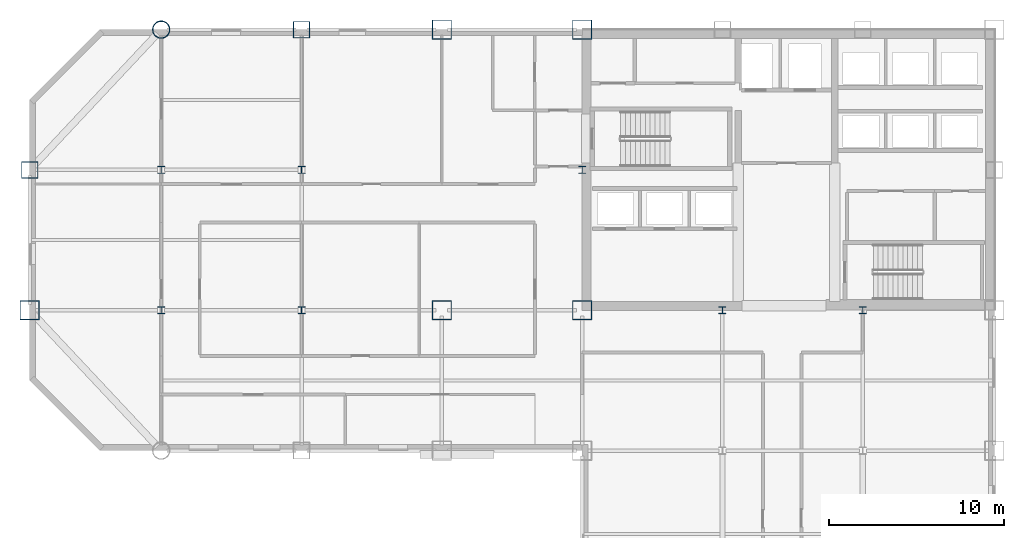
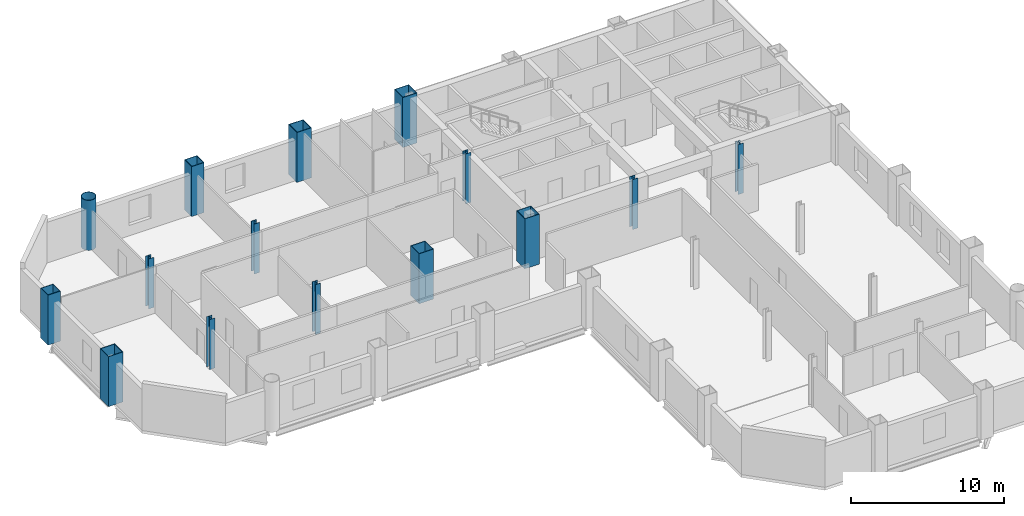
# One storey, part 3 of 10: 15 columns.
"""IFC4 building model written with IfcOpenShell, lengths in metres."""

from ifc_helpers import new_model, si_unit, direction, frame, origin, origin_2d, place, context, subcontext, project, spatial, hollow_rectangle, hollow_circle, i_section, extrude, material, material_profile, profile_set, type_object, element, save


model = new_model("IFC4")

# Units and contexts
model_context = context("Model", 3, precision=1e-05, world=origin(), true_north=direction((0.0, 1.0)))
body_context = subcontext(model_context, "Body", "Model", "MODEL_VIEW")
ifc_project = project(units=[si_unit("LENGTHUNIT", "METRE"), si_unit("AREAUNIT", "SQUARE_METRE"), si_unit("VOLUMEUNIT", "CUBIC_METRE"), si_unit("PLANEANGLEUNIT", "RADIAN"), si_unit("MASSUNIT", "GRAM", prefix="KILO")], contexts=[model_context])

# Site, building, storey
site_placement = place(None, origin())
site = spatial("IfcSite", under=ifc_project, at=site_placement, CompositionType="ELEMENT")
building_placement = place(site_placement, origin())
building = spatial("IfcBuilding", under=site, at=building_placement, Name="Qianrong Seaharbour Tower", CompositionType="ELEMENT")
storey_placement = place(building_placement, frame((0.0, 0.0, 131.0)))
storey = spatial("IfcBuildingStorey", under=building, at=storey_placement, Name="L31", CompositionType="ELEMENT", Elevation=131.0)

# Columns
ifc_material = material(Name="Structural steel SN490B", Category="steel")
ifc_material_profile_1 = material_profile(ifc_material, hollow_rectangle(XDim=1.10009765625, YDim=1.10009765625, WallThickness=0.0400390625, at=origin_2d()), Name="BOX1100x1100x40")
ifc_profile_set_1 = profile_set([ifc_material_profile_1], Name="Structural steel SN490B")
column_type_1 = type_object("IfcColumnType", Name="COL-CFT-1100", PredefinedType="COLUMN", material=ifc_profile_set_1)
for number, where, z_axis, x_axis, name in (
    (1, (9.0, 36.0, 0.0), (0.0, 0.0, 1.0), (1.0, 0.0, 0.0), "L31 Column MC-3 at G2/GF"),
    (2, (32.5, 36.0, 0.0), (0.0, 0.0, 1.0), (1.0, 0.0, 0.0), "L31 Column MC-3 at G5/GF"),
    (3, (32.5, 52.0, 0.0), (0.0, 0.0, 1.0), (1.0, 0.0, 0.0), "L31 Column MC-3 at G5/GH"),
    (4, (40.5, 36.0, 0.0), (0.0, 0.0, 1.0), (1.0, 0.0, 0.0), "L31 Column MC-3 at G6/GF"),
    (5, (40.5, 52.0, 0.0), (0.0, 0.0, 1.0), (1.0, 0.0, 0.0), "L31 Column MC-3 at G6/GH"),
):
    element("IfcColumn", number, at=place(storey_placement, frame(where, z_axis=z_axis, x_axis=x_axis)), inside=storey, type_object=column_type_1, Name=name, PredefinedType="COLUMN", context=body_context, shape_type="SweptSolid", body=[
        extrude(hollow_rectangle(XDim=1.10009765625, YDim=1.10009765625, WallThickness=0.0400390625, at=origin_2d()), origin(), (0.0, 0.0, 1.0), 4.0),
    ])
ifc_material_profile_2 = material_profile(ifc_material, hollow_circle(Radius=0.5, WallThickness=0.035888671875, at=origin_2d()), Name="CHS1000x36")
ifc_profile_set_2 = profile_set([ifc_material_profile_2], Name="Structural steel SN490B")
column_type_2 = type_object("IfcColumnType", Name="COL-CHS-1000", PredefinedType="COLUMN", material=ifc_profile_set_2)
column_placement = place(storey_placement, frame((16.5, 52.0, 0.0), z_axis=(0.0, 0.0, 1.0), x_axis=(1.0, 0.0, 0.0)))
element("IfcColumn", 6, at=column_placement, inside=storey, type_object=column_type_2, Name="L31 Column CC-2 at G3/GH", PredefinedType="COLUMN", context=body_context, shape_type="SweptSolid", body=[
    extrude(hollow_circle(Radius=0.5, WallThickness=0.035888671875, at=origin_2d()), origin(), (0.0, 0.0, 1.0), 4.0),
])
ifc_material_profile_3 = material_profile(ifc_material, i_section(OverallWidth=0.39990234375, OverallDepth=0.39990234375, WebThickness=0.012939453125, FlangeThickness=0.02099609375, FilletRadius=0.02197265625, at=origin_2d()), Name="H400x400x13x21")
ifc_profile_set_3 = profile_set([ifc_material_profile_3], Name="Structural steel SN490B")
column_type_3 = type_object("IfcColumnType", Name="COL-INT-H400", PredefinedType="COLUMN", material=ifc_profile_set_3)
for number, where, z_axis, x_axis, name in (
    (7, (16.5, 36.0, 0.0), (0.0, 0.0, 1.0), (1.0, 0.0, 0.0), "L31 Column IC-3 at G3/GF"),
    (8, (16.5, 44.0, 0.0), (0.0, 0.0, 1.0), (1.0, 0.0, 0.0), "L31 Column IC-3 at G3/GG"),
    (9, (24.5, 36.0, 0.0), (0.0, 0.0, 1.0), (1.0, 0.0, 0.0), "L31 Column IC-3 at G4/GF"),
    (10, (24.5, 44.0, 0.0), (0.0, 0.0, 1.0), (1.0, 0.0, 0.0), "L31 Column IC-3 at G4/GG"),
    (11, (40.5, 44.0, 0.0), (0.0, 0.0, 1.0), (1.0, 0.0, 0.0), "L31 Column IC-3 at G6/GG"),
    (12, (48.5, 36.0, 0.0), (0.0, 0.0, 1.0), (1.0, 0.0, 0.0), "L31 Column IC-3 at G7/GF"),
    (13, (56.5, 36.0, 0.0), (0.0, 0.0, 1.0), (1.0, 0.0, 0.0), "L31 Column IC-3 at G8/GF"),
):
    element("IfcColumn", number, at=place(storey_placement, frame(where, z_axis=z_axis, x_axis=x_axis)), inside=storey, type_object=column_type_3, Name=name, PredefinedType="COLUMN", context=body_context, shape_type="SweptSolid", body=[
        extrude(i_section(OverallWidth=0.39990234375, OverallDepth=0.39990234375, WebThickness=0.012939453125, FlangeThickness=0.02099609375, FilletRadius=0.02197265625, at=origin_2d()), origin(), (0.0, 0.0, 1.0), 4.0),
    ])
ifc_material_profile_4 = material_profile(ifc_material, hollow_rectangle(XDim=0.949951171875, YDim=0.949951171875, WallThickness=0.035888671875, at=origin_2d()), Name="BOX950x950x36")
ifc_profile_set_4 = profile_set([ifc_material_profile_4], Name="Structural steel SN490B")
column_type_4 = type_object("IfcColumnType", Name="COL-PER-950", PredefinedType="COLUMN", material=ifc_profile_set_4)
for number, where, z_axis, x_axis, name in (
    (14, (9.0, 44.0, 0.0), (0.0, 0.0, 1.0), (1.0, 0.0, 0.0), "L31 Column PC-2 at G2/GG"),
    (15, (24.5, 52.0, 0.0), (0.0, 0.0, 1.0), (1.0, 0.0, 0.0), "L31 Column PC-2 at G4/GH"),
):
    element("IfcColumn", number, at=place(storey_placement, frame(where, z_axis=z_axis, x_axis=x_axis)), inside=storey, type_object=column_type_4, Name=name, PredefinedType="COLUMN", context=body_context, shape_type="SweptSolid", body=[
        extrude(hollow_rectangle(XDim=0.949951171875, YDim=0.949951171875, WallThickness=0.035888671875, at=origin_2d()), origin(), (0.0, 0.0, 1.0), 4.0),
    ])

save(model, "model.ifc")
